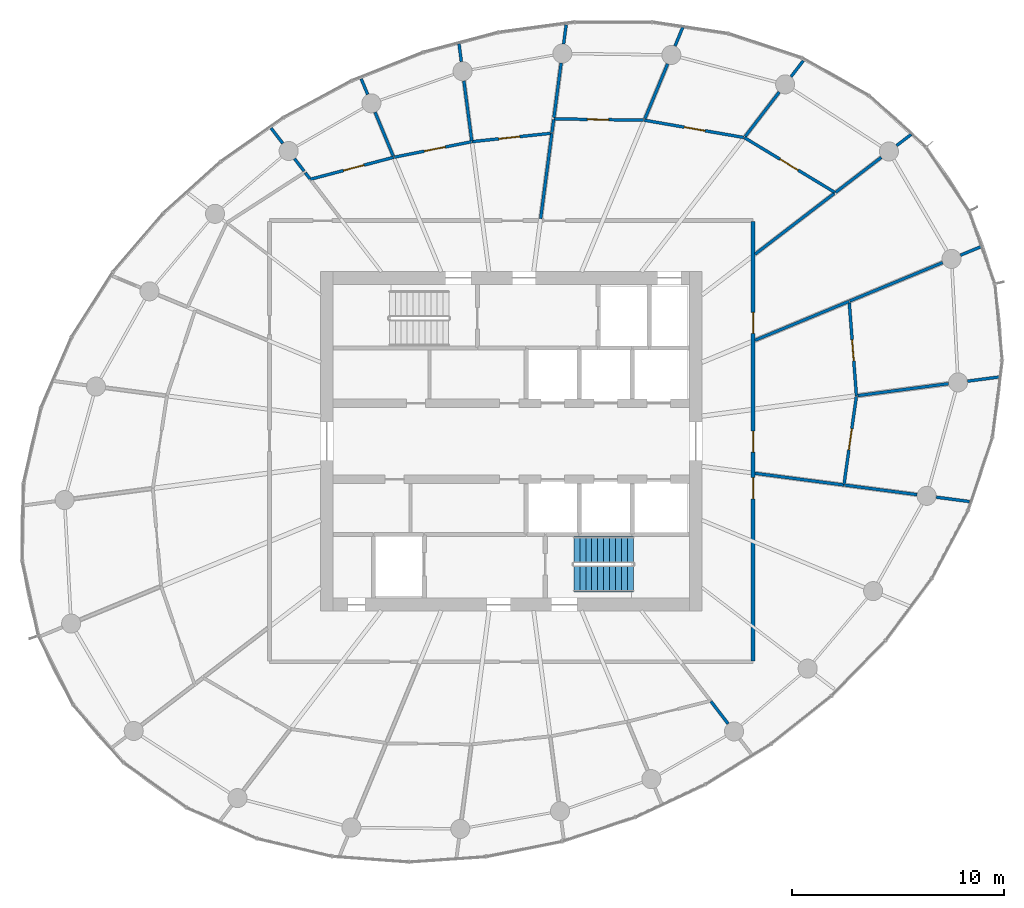
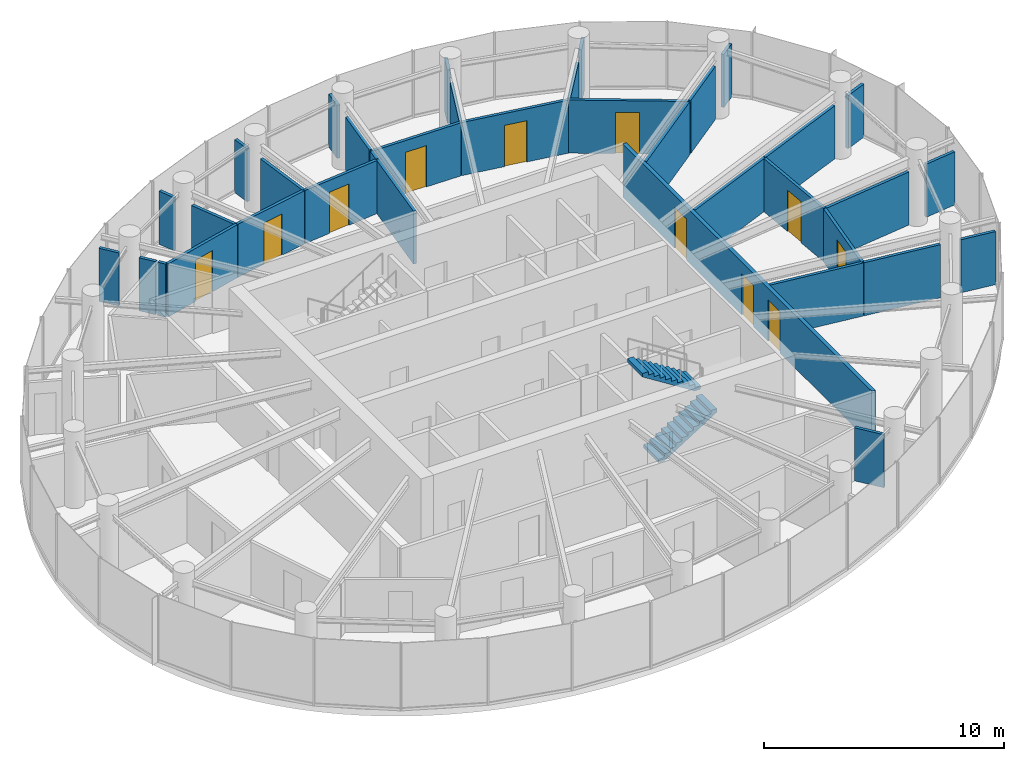
# One storey, part 11 of 14: 36 walls, 11 doors, 2 stair flights, 11 openings, 1 element without a shape of its own.
"""IFC4 building model written with IfcOpenShell, lengths in metres."""

import ifcopenshell
import ifcopenshell.guid

model = None  # the IFC model being written
_history = None  # IfcOwnerHistory: only IFC2X3 demands one
_inside = {}  # id of a spatial element -> (the spatial element, [elements in it])
_under = {}  # id of a project, library or spatial element -> (it, [spatial elements below it])
_declared = {}  # id of a project -> (the project, [libraries it declares])
_typed = {}  # id of a type object -> (the type object, [elements of that type])
_made_of = {}  # id of a material, layer set ... -> (it, [elements and type objects made of it])


def new_model(schema):
    """Start an empty IFC model of exactly this schema.

    Asked for "IFC4X3", IfcOpenShell would pick the latest addendum, in which some entities
    have other attributes; the version numbers below select the first issue.
    IFC2X3 requires an IfcOwnerHistory on every rooted entity: one is made here for all.
    """
    global model, _history
    if schema == "IFC4X3":
        model = ifcopenshell.file(schema_version=(4, 3, 0, 0))
    else:
        model = ifcopenshell.file(schema=schema)
    _inside.clear()
    _under.clear()
    _declared.clear()
    _typed.clear()
    _made_of.clear()
    _history = None
    if model.schema == "IFC2X3":
        org = make("IfcOrganization", Name="unknown")
        user = make(
            "IfcPersonAndOrganization",
            ThePerson=make("IfcPerson", FamilyName="unknown"),
            TheOrganization=org,
        )
        app = make(
            "IfcApplication",
            ApplicationDeveloper=org,
            Version="unknown",
            ApplicationFullName="unknown",
            ApplicationIdentifier="unknown",
        )
        _history = make(
            "IfcOwnerHistory",
            OwningUser=user,
            OwningApplication=app,
            ChangeAction="ADDED",
            CreationDate=0,
        )
    return model


def make(cls, **values):
    """One entity of the class cls with the attributes given. An attribute that is None is left unset."""
    return model.create_entity(
        cls, **{name: value for name, value in values.items() if value is not None}
    )


def rooted(cls, **values):
    """An entity with a GlobalId (a new one), such as an element, a storey or a relation."""
    return make(cls, GlobalId=ifcopenshell.guid.new(), OwnerHistory=_history, **values)


def si_unit(unit_type, name, prefix=None):
    """IfcSIUnit, for example si_unit("LENGTHUNIT", "METRE", prefix="MILLI")."""
    return make("IfcSIUnit", UnitType=unit_type, Prefix=prefix, Name=name)


def assignment(units):
    """IfcUnitAssignment: the units of a project."""
    return None if units is None else make("IfcUnitAssignment", Units=units)


def point(xyz):
    """IfcCartesianPoint."""
    return None if xyz is None else make("IfcCartesianPoint", Coordinates=xyz)


def direction(xyz):
    """IfcDirection."""
    return None if xyz is None else make("IfcDirection", DirectionRatios=xyz)


def frame(location, z_axis=None, x_axis=None):
    """IfcAxis2Placement3D, a coordinate frame: its origin and axes. An axis left out is left unset."""
    return make(
        "IfcAxis2Placement3D",
        Location=point(location),
        Axis=direction(z_axis),
        RefDirection=direction(x_axis),
    )


def frame_2d(location, x_axis=None):
    """IfcAxis2Placement2D, a coordinate frame in the plane: its origin and x axis."""
    return make(
        "IfcAxis2Placement2D", Location=point(location), RefDirection=direction(x_axis)
    )


def origin():
    """The frame at (0, 0, 0) with its axes left unset."""
    return frame((0.0, 0.0, 0.0))


def place(relative_to, where):
    """IfcLocalPlacement: puts the frame where relative to a parent placement (None: the world)."""
    return make(
        "IfcLocalPlacement", PlacementRelTo=relative_to, RelativePlacement=where
    )


def context(
    kind, dimensions, precision=None, world=None, true_north=None, identifier=None
):
    """IfcGeometricRepresentationContext, for example the 3D "Model" context."""
    return make(
        "IfcGeometricRepresentationContext",
        ContextIdentifier=identifier,
        ContextType=kind,
        CoordinateSpaceDimension=dimensions,
        Precision=precision,
        WorldCoordinateSystem=world,
        TrueNorth=true_north,
    )


def subcontext(parent, identifier, kind, view, scale=None):
    """IfcGeometricRepresentationSubContext, for example "Body" below "Model"."""
    return make(
        "IfcGeometricRepresentationSubContext",
        ContextIdentifier=identifier,
        ContextType=kind,
        ParentContext=parent,
        TargetScale=scale,
        TargetView=view,
    )


def project(units=None, contexts=None):
    """IfcProject with its units and contexts."""
    return rooted(
        "IfcProject",
        Name="project",
        RepresentationContexts=contexts,
        UnitsInContext=assignment(units),
    )


def spatial(cls, under=None, at=None, **own):
    """A site, building, storey or space (cls), placed at a placement, below another one or the project."""
    s = rooted(cls, ObjectPlacement=at, **own)
    if under is not None:
        _under.setdefault(under.id(), (under, []))[1].append(s)
    return s


def point_list(points):
    """IfcCartesianPointList2D or 3D."""
    cls = (
        "IfcCartesianPointList2D" if len(points[0]) == 2 else "IfcCartesianPointList3D"
    )
    return make(cls, CoordList=points)


def line(*indices):
    """IfcLineIndex: a straight run through numbered points of an indexed curve."""
    return model.create_entity("IfcLineIndex", indices)


def indexed_curve(points, segments=None, self_intersect=None):
    """IfcIndexedPolyCurve: lines and arcs through numbered points (the first is 1)."""
    return make(
        "IfcIndexedPolyCurve",
        Points=point_list(points),
        Segments=segments,
        SelfIntersect=self_intersect,
    )


def profile(cls, at=None, kind="AREA", **sizes):
    """A parametric profile (cls). Its sizes go by their IFC names, for example OverallWidth=200.0."""
    return make(cls, ProfileType=kind, Position=at, **sizes)


def rectangle(**sizes):
    """IfcRectangleProfileDef."""
    return profile("IfcRectangleProfileDef", **sizes)


def outline(outer, holes=None, kind="AREA"):
    """IfcArbitraryClosedProfileDef: a profile drawn as a closed curve; with holes, ...WithVoids."""
    if holes is None:
        return make("IfcArbitraryClosedProfileDef", ProfileType=kind, OuterCurve=outer)
    return make(
        "IfcArbitraryProfileDefWithVoids",
        ProfileType=kind,
        OuterCurve=outer,
        InnerCurves=holes,
    )


def extrude(swept, where, along, depth):
    """IfcExtrudedAreaSolid: the profile swept, set in the frame where, extruded along a direction by depth."""
    return make(
        "IfcExtrudedAreaSolid",
        SweptArea=swept,
        Position=where,
        ExtrudedDirection=direction(along),
        Depth=depth,
    )


def shape(context_of_items, identifier, shape_type, items):
    """IfcShapeRepresentation: the items that make up one representation, for example the "Body"."""
    return make(
        "IfcShapeRepresentation",
        ContextOfItems=context_of_items,
        RepresentationIdentifier=identifier,
        RepresentationType=shape_type,
        Items=items,
    )


def source(mapping_origin, context_of_items, identifier, shape_type, items):
    """IfcRepresentationMap: a shape defined once, which mapped items show again and again."""
    return make(
        "IfcRepresentationMap",
        MappingOrigin=mapping_origin,
        MappedRepresentation=shape(context_of_items, identifier, shape_type, items),
    )


def transform(
    local_origin,
    x_axis=None,
    y_axis=None,
    z_axis=None,
    scale=None,
    scale2=None,
    scale3=None,
    uniform=True,
):
    """IfcCartesianTransformationOperator3D, or its non-uniform kind. x_axis, y_axis, z_axis: its Axis1, 2, 3."""
    if uniform:
        return make(
            "IfcCartesianTransformationOperator3D",
            Axis1=direction(x_axis),
            Axis2=direction(y_axis),
            LocalOrigin=point(local_origin),
            Scale=scale,
            Axis3=direction(z_axis),
        )
    return make(
        "IfcCartesianTransformationOperator3DnonUniform",
        Axis1=direction(x_axis),
        Axis2=direction(y_axis),
        LocalOrigin=point(local_origin),
        Scale=scale,
        Axis3=direction(z_axis),
        Scale2=scale2,
        Scale3=scale3,
    )


def mapped(mapping_source, mapping_target):
    """IfcMappedItem: shows the shape of a source again, moved by a transform."""
    return make(
        "IfcMappedItem", MappingSource=mapping_source, MappingTarget=mapping_target
    )


def material(Name=None, Category=None):
    """IfcMaterial."""
    return make("IfcMaterial", Name=Name, Category=Category)


def layer(
    of_material, thickness, ventilated=None, Name=None, Category=None, Priority=None
):
    """IfcMaterialLayer: one layer of a wall or slab, of a material (None: an air gap)."""
    return make(
        "IfcMaterialLayer",
        Material=of_material,
        LayerThickness=thickness,
        IsVentilated=ventilated,
        Name=Name,
        Category=Category,
        Priority=Priority,
    )


def layer_set(layers, Name=None):
    """IfcMaterialLayerSet."""
    return make("IfcMaterialLayerSet", MaterialLayers=layers, LayerSetName=Name)


def made_of(thing, what):
    """Note that an element or type object is made of a material, layer set ...; save() writes the relation."""
    if what is not None:
        _made_of.setdefault(what.id(), (what, []))[1].append(thing)
    return thing


def type_object(cls, material=None, **own):
    """A type object (cls), such as IfcWallType, which elements share."""
    return made_of(rooted(cls, **own), material)


def element(
    cls,
    number,
    at=None,
    inside=None,
    cuts=None,
    type_object=None,
    material=None,
    context=None,
    identifier="Body",
    shape_type=None,
    held_by="IfcProductDefinitionShape",
    body=None,
    shapes=None,
    **own,
):
    """One element of the class cls, such as IfcWall. Its Tag is "e" and its number.

    at: its placement. inside: the storey or other place that contains it. cuts: it is an
    opening in that element (IfcRelVoidsElement). A single representation is given by context,
    identifier, shape_type and body (its items); several are given by shapes. held_by: the class
    of the entity that holds the representations. save() writes the other relations.
    """
    e = rooted(cls, Tag="e%d" % number, ObjectPlacement=at, **own)
    if body is not None:
        shapes = [shape(context, identifier, shape_type, body)]
    if shapes is not None:
        e.Representation = make(held_by, Representations=shapes)
    if inside is not None:
        _inside.setdefault(inside.id(), (inside, []))[1].append(e)
    if cuts is not None:
        rooted(
            "IfcRelVoidsElement", RelatingBuildingElement=cuts, RelatedOpeningElement=e
        )
    if type_object is not None:
        _typed.setdefault(type_object.id(), (type_object, []))[1].append(e)
    return made_of(e, material)


def fill(opening, filler):
    """IfcRelFillsElement: the door or window that sits in an opening."""
    return rooted(
        "IfcRelFillsElement",
        RelatingOpeningElement=opening,
        RelatedBuildingElement=filler,
    )


def aggregate(whole, parts):
    """IfcRelAggregates: a whole, such as a stair, and the parts it consists of."""
    return rooted("IfcRelAggregates", RelatingObject=whole, RelatedObjects=parts)


def save(model, path):
    """Write the relations noted so far, then the file.

    IfcRelAggregates (storeys below a building ...), IfcRelContainedInSpatialStructure (elements
    in a storey), IfcRelDefinesByType, IfcRelAssociatesMaterial and IfcRelDeclares: one each for
    every whole, place, type object, material and project.
    """
    for whole, parts in _under.values():
        aggregate(whole, parts)
    for where, things in _inside.values():
        rooted(
            "IfcRelContainedInSpatialStructure",
            RelatedElements=things,
            RelatingStructure=where,
        )
    for kind, things in _typed.values():
        rooted("IfcRelDefinesByType", RelatedObjects=things, RelatingType=kind)
    for what, things in _made_of.values():
        rooted("IfcRelAssociatesMaterial", RelatedObjects=things, RelatingMaterial=what)
    for by, libraries in _declared.values():
        rooted("IfcRelDeclares", RelatingContext=by, RelatedDefinitions=libraries)
    model.write(path)


model = new_model("IFC4")

# Units and contexts
model_context = context("Model", 3, precision=1e-05, world=origin(), true_north=direction((0.0, 1.0)))
body_context = subcontext(model_context, "Body", "Model", "MODEL_VIEW")
ifc_project = project(units=[si_unit("LENGTHUNIT", "METRE"), si_unit("AREAUNIT", "SQUARE_METRE"), si_unit("VOLUMEUNIT", "CUBIC_METRE"), si_unit("PLANEANGLEUNIT", "RADIAN"), si_unit("MASSUNIT", "GRAM", prefix="KILO")], contexts=[model_context])

# Site, building, storey
site_placement = place(None, origin())
site = spatial("IfcSite", under=ifc_project, at=site_placement, CompositionType="ELEMENT")
building_placement = place(site_placement, origin())
building = spatial("IfcBuilding", under=site, at=building_placement, Name="Spindrift Exchange Tower", CompositionType="ELEMENT")
storey_placement = place(building_placement, frame((0.0, 0.0, 226.699951171875)))
storey = spatial("IfcBuildingStorey", under=building, at=storey_placement, Name="L55", CompositionType="ELEMENT", Elevation=226.699951171875)

# Wall, openings, doors
ifc_material_1 = material(Name="Fire-rated plasterboard partition", Category="gypsum")
ifc_layer_1 = layer(ifc_material_1, 0.179931640625)
ifc_layer_set_1 = layer_set([ifc_layer_1], Name="W-CORR-180")
wall_type_1 = type_object("IfcWallType", Name="W-CORR-180", PredefinedType="PARTITIONING", material=ifc_layer_set_1)
wall_1_placement = place(storey_placement, frame((63.39990234375, 58.3701171875, 0.0), z_axis=(0.0, 0.0, 1.0), x_axis=(0.0, -1.0, 0.0)))
wall_1 = element("IfcWall", 1, at=wall_1_placement, inside=storey, type_object=wall_type_1, Name="L55 Partition wall 29", PredefinedType="PARTITIONING", context=body_context, shape_type="SweptSolid", body=[
    extrude(rectangle(XDim=20.740234375, YDim=0.179931640625, at=frame_2d((10.3701171875, 0.0))), origin(), (0.0, 0.0, 1.0), 2.699951171875),
])
opening_1_placement = place(wall_1_placement, frame((12.090087890625, 0.0, 0.0)))
opening_1 = element("IfcOpeningElement", 2, at=opening_1_placement, cuts=wall_1, Name="Opening L55-D34", PredefinedType="OPENING", context=body_context, shape_type="SweptSolid", body=[
    extrude(rectangle(XDim=1.0, YDim=2.10009765625, at=frame_2d((0.5, 1.050048828125))), frame((0.0, 0.099853515625, 0.0), z_axis=(0.0, -1.0, 0.0), x_axis=(1.0, 0.0, 0.0)), (0.0, 0.0, 1.0), 0.199951171875),
])
opening_2_placement = place(wall_1_placement, frame((9.889892578125, 0.0, 0.0)))
opening_2 = element("IfcOpeningElement", 3, at=opening_2_placement, cuts=wall_1, Name="Opening L55-D35", PredefinedType="OPENING", context=body_context, shape_type="SweptSolid", body=[
    extrude(rectangle(XDim=1.0, YDim=2.10009765625, at=frame_2d((0.5, 1.050048828125))), frame((0.0, 0.099853515625, 0.0), z_axis=(0.0, -1.0, 0.0), x_axis=(1.0, 0.0, 0.0)), (0.0, 0.0, 1.0), 0.199951171875),
])
opening_3_placement = place(wall_1_placement, frame((4.2900390625, 0.0, 0.0)))
opening_3 = element("IfcOpeningElement", 4, at=opening_3_placement, cuts=wall_1, Name="Opening L55-D38", PredefinedType="OPENING", context=body_context, shape_type="SweptSolid", body=[
    extrude(rectangle(XDim=1.0, YDim=2.10009765625, at=frame_2d((0.5, 1.050048828125))), frame((0.0, 0.099853515625, 0.0), z_axis=(0.0, -1.0, 0.0), x_axis=(1.0, 0.0, 0.0)), (0.0, 0.0, 1.0), 0.199951171875),
])
ifc_material_2 = material(Name="Timber-core fire door", Category="wood")
door_type = type_object("IfcDoorType", Name="DR-ROOM-1000", OperationType="NOTDEFINED", PredefinedType="DOOR", material=ifc_material_2)
shared_shape = source(origin(), body_context, "Body", "SweptSolid", [
    extrude(rectangle(XDim=1.0, YDim=2.10009765625, at=frame_2d((0.5, 1.050048828125))), frame((0.0, 0.02490234375, 0.0), z_axis=(0.0, -1.0, 0.0), x_axis=(1.0, 0.0, 0.0)), (0.0, 0.0, 1.0), 0.050048828125),
])
door_1_placement = place(opening_1_placement, origin())
door_1 = element("IfcDoor", 5, at=door_1_placement, inside=storey, type_object=door_type, Name="L55 Door 34", OperationType="SINGLE_SWING_RIGHT", OverallHeight=2.10009765625, OverallWidth=1.0, PredefinedType="DOOR", context=body_context, shape_type="MappedRepresentation", body=[
    mapped(shared_shape, transform((0.0, 0.0, 0.0), scale=1.0)),
])
fill(opening_1, door_1)
door_2_placement = place(opening_2_placement, origin())
door_2 = element("IfcDoor", 6, at=door_2_placement, inside=storey, type_object=door_type, Name="L55 Door 35", OperationType="SINGLE_SWING_LEFT", OverallHeight=2.10009765625, OverallWidth=1.0, PredefinedType="DOOR", context=body_context, shape_type="MappedRepresentation", body=[
    mapped(shared_shape, transform((0.0, 0.0, 0.0), scale=1.0)),
])
fill(opening_2, door_2)
door_3_placement = place(opening_3_placement, origin())
door_3 = element("IfcDoor", 7, at=door_3_placement, inside=storey, type_object=door_type, Name="L55 Door 38", OperationType="SINGLE_SWING_RIGHT", OverallHeight=2.10009765625, OverallWidth=1.0, PredefinedType="DOOR", context=body_context, shape_type="MappedRepresentation", body=[
    mapped(shared_shape, transform((0.0, 0.0, 0.0), scale=1.0)),
])
fill(opening_3, door_3)

# Wall, opening, door
ifc_layer_2 = layer(ifc_material_1, 0.139892578125)
ifc_layer_set_2 = layer_set([ifc_layer_2], Name="W-PART-140")
wall_type_2 = type_object("IfcWallType", Name="W-PART-140", PredefinedType="PARTITIONING", material=ifc_layer_set_2)
wall_2_placement = place(storey_placement, frame((62.984619140625, 62.315185546875, 0.0), z_axis=(0.0, 0.0, 1.0), x_axis=(0.855336503229, -0.518072838744, 0.0)))
wall_2 = element("IfcWall", 8, at=wall_2_placement, inside=storey, type_object=wall_type_2, Name="L55 Partition wall 31", PredefinedType="PARTITIONING", context=body_context, shape_type="SweptSolid", body=[
    extrude(rectangle(XDim=5.01220703125, YDim=0.139892578125, at=frame_2d((2.506103515625, 0.0))), origin(), (0.0, 0.0, 1.0), 2.699951171875),
])
opening_4_placement = place(wall_2_placement, frame((1.96240234375, 0.0, 0.0)))
opening_4 = element("IfcOpeningElement", 9, at=opening_4_placement, cuts=wall_2, Name="Opening L55-D40", PredefinedType="OPENING", context=body_context, shape_type="SweptSolid", body=[
    extrude(rectangle(XDim=1.0, YDim=2.10009765625, at=frame_2d((0.5, 1.050048828125))), frame((0.0, 0.079833984375, 0.0), z_axis=(0.0, -1.0, 0.0), x_axis=(1.0, 0.0, 0.0)), (0.0, 0.0, 1.0), 0.159912109375),
])
door_4_placement = place(opening_4_placement, origin())
door_4 = element("IfcDoor", 10, at=door_4_placement, inside=storey, type_object=door_type, Name="L55 Door 40", OperationType="SINGLE_SWING_RIGHT", OverallHeight=2.10009765625, OverallWidth=1.0, PredefinedType="DOOR", context=body_context, shape_type="MappedRepresentation", body=[
    mapped(shared_shape, transform((0.0, 0.0, 0.0), scale=1.0)),
])
fill(opening_4, door_4)

# Walls
wall_3_placement = place(storey_placement, frame((63.489990234375, 52.75927734375, 0.0), z_axis=(0.0, 0.0, 1.0), x_axis=(0.923870600529, 0.382704995366, 0.0)))
element("IfcWall", 11, at=wall_3_placement, inside=storey, type_object=wall_type_2, Name="L55 Partition wall 32", PredefinedType="PARTITIONING", context=body_context, shape_type="SweptSolid", body=[
    extrude(rectangle(XDim=4.802490234375, YDim=0.139892578125, at=frame_2d((2.4013671875, 0.0))), origin(), (0.0, 0.0, 1.0), 2.699951171875),
])
wall_4_placement = place(storey_placement, frame((63.489990234375, 56.816650390625, 0.0), z_axis=(0.0, 0.0, 1.0), x_axis=(0.793370109793, 0.608739573945, 0.0)))
element("IfcWall", 12, at=wall_4_placement, inside=storey, type_object=wall_type_2, Name="L55 Partition wall 34", PredefinedType="PARTITIONING", context=body_context, shape_type="SweptSolid", body=[
    extrude(rectangle(XDim=4.691650390625, YDim=0.139892578125, at=frame_2d((2.345703125, 0.0))), origin(), (0.0, 0.0, 1.0), 2.699951171875),
])

# Wall, opening, door
wall_5_placement = place(storey_placement, frame((58.268798828125, 63.13427734375, 0.0), z_axis=(0.0, 0.0, 1.0), x_axis=(0.985247147455, -0.171137542441, 0.0)))
wall_5 = element("IfcWall", 13, at=wall_5_placement, inside=storey, type_object=wall_type_2, Name="L55 Partition wall 35", PredefinedType="PARTITIONING", context=body_context, shape_type="SweptSolid", body=[
    extrude(rectangle(XDim=4.756103515625, YDim=0.139892578125, at=frame_2d((2.3779296875, 0.0))), origin(), (0.0, 0.0, 1.0), 2.699951171875),
])
opening_5_placement = place(wall_5_placement, frame((1.90625, 0.0, 0.0)))
opening_5 = element("IfcOpeningElement", 14, at=opening_5_placement, cuts=wall_5, Name="Opening L55-D41", PredefinedType="OPENING", context=body_context, shape_type="SweptSolid", body=[
    extrude(rectangle(XDim=1.0, YDim=2.10009765625, at=frame_2d((0.5, 1.050048828125))), frame((0.0, 0.079833984375, 0.0), z_axis=(0.0, -1.0, 0.0), x_axis=(1.0, 0.0, 0.0)), (0.0, 0.0, 1.0), 0.159912109375),
])
door_5_placement = place(opening_5_placement, origin())
door_5 = element("IfcDoor", 15, at=door_5_placement, inside=storey, type_object=door_type, Name="L55 Door 41", OperationType="SINGLE_SWING_LEFT", OverallHeight=2.10009765625, OverallWidth=1.0, PredefinedType="DOOR", context=body_context, shape_type="MappedRepresentation", body=[
    mapped(shared_shape, transform((0.0, 0.0, 0.0), scale=1.0)),
])
fill(opening_5, door_5)

# Wall
wall_6_placement = place(storey_placement, frame((67.95458984375, 54.608642578125, 0.0), z_axis=(0.0, 0.0, 1.0), x_axis=(0.923881204853, 0.38267939495, 0.0)))
element("IfcWall", 16, at=wall_6_placement, inside=storey, type_object=wall_type_2, Name="L55 Partition wall 37", PredefinedType="PARTITIONING", context=body_context, shape_type="SweptSolid", body=[
    extrude(rectangle(XDim=4.739013671875, YDim=0.139892578125, at=frame_2d((2.36962890625, 0.0))), origin(), (0.0, 0.0, 1.0), 2.699951171875),
])

# Wall, opening, door
wall_7_placement = place(storey_placement, frame((67.932373046875, 54.523681640625, 0.0), z_axis=(0.0, 0.0, 1.0), x_axis=(0.076998122005, -0.997031237829, 0.0)))
wall_7 = element("IfcWall", 17, at=wall_7_placement, inside=storey, type_object=wall_type_2, Name="L55 Partition wall 40", PredefinedType="PARTITIONING", context=body_context, shape_type="SweptSolid", body=[
    extrude(rectangle(XDim=4.39453125, YDim=0.139892578125, at=frame_2d((2.197265625, 0.0))), origin(), (0.0, 0.0, 1.0), 2.699951171875),
])
opening_6_placement = place(wall_7_placement, frame((1.74462890625, 0.0, 0.0)))
opening_6 = element("IfcOpeningElement", 18, at=opening_6_placement, cuts=wall_7, Name="Opening L55-D37", PredefinedType="OPENING", context=body_context, shape_type="SweptSolid", body=[
    extrude(rectangle(XDim=1.0, YDim=2.10009765625, at=frame_2d((0.5, 1.050048828125))), frame((0.0, 0.079833984375, 0.0), z_axis=(0.0, -1.0, 0.0), x_axis=(1.0, 0.0, 0.0)), (0.0, 0.0, 1.0), 0.159912109375),
])
door_6_placement = place(opening_6_placement, origin())
door_6 = element("IfcDoor", 19, at=door_6_placement, inside=storey, type_object=door_type, Name="L55 Door 37", OperationType="SINGLE_SWING_LEFT", OverallHeight=2.10009765625, OverallWidth=1.0, PredefinedType="DOOR", context=body_context, shape_type="MappedRepresentation", body=[
    mapped(shared_shape, transform((0.0, 0.0, 0.0), scale=1.0)),
])
fill(opening_6, door_6)

# Walls
wall_8_placement = place(storey_placement, frame((68.340087890625, 50.151123046875, 0.0), z_axis=(0.0, 0.0, 1.0), x_axis=(0.991441368776, 0.130552718389, 0.0)))
element("IfcWall", 20, at=wall_8_placement, inside=storey, type_object=wall_type_2, Name="L55 Partition wall 44", PredefinedType="PARTITIONING", context=body_context, shape_type="SweptSolid", body=[
    extrude(rectangle(XDim=4.30859375, YDim=0.139892578125, at=frame_2d((2.154296875, 0.0))), origin(), (0.0, 0.0, 1.0), 2.699951171875),
])
wall_9_placement = place(storey_placement, frame((63.489990234375, 46.4873046875, 0.0), z_axis=(0.0, 0.0, 1.0), x_axis=(0.991446431295, -0.130514266934, 0.0)))
element("IfcWall", 21, at=wall_9_placement, inside=storey, type_object=wall_type_2, Name="L55 Partition wall 45", PredefinedType="PARTITIONING", context=body_context, shape_type="SweptSolid", body=[
    extrude(rectangle(XDim=4.2275390625, YDim=0.139892578125, at=frame_2d((2.11376953125, 0.0))), origin(), (0.0, 0.0, 1.0), 2.699951171875),
])

# Wall, opening, door
wall_10_placement = place(storey_placement, frame((54.00048828125, 63.1962890625, 0.0), z_axis=(0.0, 0.0, 1.0), x_axis=(0.99989466978, -0.014513763999, 0.0)))
wall_10 = element("IfcWall", 22, at=wall_10_placement, inside=storey, type_object=wall_type_2, Name="L55 Partition wall 46", PredefinedType="PARTITIONING", context=body_context, shape_type="SweptSolid", body=[
    extrude(rectangle(XDim=4.239013671875, YDim=0.139892578125, at=frame_2d((2.11962890625, 0.0))), origin(), (0.0, 0.0, 1.0), 2.699951171875),
])
opening_7_placement = place(wall_10_placement, frame((1.588623046875, 0.0, 0.0)))
opening_7 = element("IfcOpeningElement", 23, at=opening_7_placement, cuts=wall_10, Name="Opening L55-D42", PredefinedType="OPENING", context=body_context, shape_type="SweptSolid", body=[
    extrude(rectangle(XDim=1.0, YDim=2.10009765625, at=frame_2d((0.5, 1.050048828125))), frame((0.0, 0.079833984375, 0.0), z_axis=(0.0, -1.0, 0.0), x_axis=(1.0, 0.0, 0.0)), (0.0, 0.0, 1.0), 0.159912109375),
])
door_7_placement = place(opening_7_placement, origin())
door_7 = element("IfcDoor", 24, at=door_7_placement, inside=storey, type_object=door_type, Name="L55 Door 42", OperationType="SINGLE_SWING_RIGHT", OverallHeight=2.10009765625, OverallWidth=1.0, PredefinedType="DOOR", context=body_context, shape_type="MappedRepresentation", body=[
    mapped(shared_shape, transform((0.0, 0.0, 0.0), scale=1.0)),
])
fill(opening_7, door_7)

wall_11_placement = place(storey_placement, frame((68.2666015625, 50.1123046875, 0.0), z_axis=(0.0, 0.0, 1.0), x_axis=(-0.138751908501, -0.990327172144, 0.0)))
wall_11 = element("IfcWall", 25, at=wall_11_placement, inside=storey, type_object=wall_type_2, Name="L55 Partition wall 48", PredefinedType="PARTITIONING", context=body_context, shape_type="SweptSolid", body=[
    extrude(rectangle(XDim=4.187744140625, YDim=0.139892578125, at=frame_2d((2.09375, 0.0))), origin(), (0.0, 0.0, 1.0), 2.699951171875),
])
opening_8_placement = place(wall_11_placement, frame((1.53759765625, 0.0, 0.0)))
opening_8 = element("IfcOpeningElement", 26, at=opening_8_placement, cuts=wall_11, Name="Opening L55-D36", PredefinedType="OPENING", context=body_context, shape_type="SweptSolid", body=[
    extrude(rectangle(XDim=1.0, YDim=2.10009765625, at=frame_2d((0.5, 1.050048828125))), frame((0.0, 0.079833984375, 0.0), z_axis=(0.0, -1.0, 0.0), x_axis=(1.0, 0.0, 0.0)), (0.0, 0.0, 1.0), 0.159912109375),
])
door_8_placement = place(opening_8_placement, origin())
door_8 = element("IfcDoor", 27, at=door_8_placement, inside=storey, type_object=door_type, Name="L55 Door 36", OperationType="SINGLE_SWING_RIGHT", OverallHeight=2.10009765625, OverallWidth=1.0, PredefinedType="DOOR", context=body_context, shape_type="MappedRepresentation", body=[
    mapped(shared_shape, transform((0.0, 0.0, 0.0), scale=1.0)),
])
fill(opening_8, door_8)

# Wall
wall_12_placement = place(storey_placement, frame((53.381103515625, 58.489990234375, 0.0), z_axis=(0.0, 0.0, 1.0), x_axis=(0.13052750874, 0.99144468805, 0.0)))
element("IfcWall", 28, at=wall_12_placement, inside=storey, type_object=wall_type_2, Name="L55 Partition wall 49", PredefinedType="PARTITIONING", context=body_context, shape_type="SweptSolid", body=[
    extrude(rectangle(XDim=4.066162109375, YDim=0.139892578125, at=frame_2d((2.033203125, 0.0))), origin(), (0.0, 0.0, 1.0), 2.699951171875),
])

# Wall, opening, door
wall_13_placement = place(storey_placement, frame((42.5244140625, 60.348876953125, 0.0), z_axis=(0.0, 0.0, 1.0), x_axis=(0.966913320751, 0.255105135492, 0.0)))
wall_13 = element("IfcWall", 29, at=wall_13_placement, inside=storey, type_object=wall_type_2, Name="L55 Partition wall 52", PredefinedType="PARTITIONING", context=body_context, shape_type="SweptSolid", body=[
    extrude(rectangle(XDim=4.0654296875, YDim=0.139892578125, at=frame_2d((2.03271484375, 0.0))), origin(), (0.0, 0.0, 1.0), 2.699951171875),
])
opening_9_placement = place(wall_13_placement, frame((1.615478515625, 0.0, 0.0)))
opening_9 = element("IfcOpeningElement", 30, at=opening_9_placement, cuts=wall_13, Name="Opening L55-D46", PredefinedType="OPENING", context=body_context, shape_type="SweptSolid", body=[
    extrude(rectangle(XDim=1.0, YDim=2.10009765625, at=frame_2d((0.5, 1.050048828125))), frame((0.0, 0.079833984375, 0.0), z_axis=(0.0, -1.0, 0.0), x_axis=(1.0, 0.0, 0.0)), (0.0, 0.0, 1.0), 0.159912109375),
])
door_9_placement = place(opening_9_placement, origin())
door_9 = element("IfcDoor", 31, at=door_9_placement, inside=storey, type_object=door_type, Name="L55 Door 46", OperationType="SINGLE_SWING_RIGHT", OverallHeight=2.10009765625, OverallWidth=1.0, PredefinedType="DOOR", context=body_context, shape_type="MappedRepresentation", body=[
    mapped(shared_shape, transform((0.0, 0.0, 0.0), scale=1.0)),
])
fill(opening_9, door_9)

wall_14_placement = place(storey_placement, frame((50.140869140625, 62.122314453125, 0.0), z_axis=(0.0, 0.0, 1.0), x_axis=(0.994443424191, 0.105272389942, 0.0)))
wall_14 = element("IfcWall", 32, at=wall_14_placement, inside=storey, type_object=wall_type_2, Name="L55 Partition wall 58", PredefinedType="PARTITIONING", context=body_context, shape_type="SweptSolid", body=[
    extrude(rectangle(XDim=3.719970703125, YDim=0.139892578125, at=frame_2d((1.85986328125, 0.0))), origin(), (0.0, 0.0, 1.0), 2.699951171875),
])
opening_10_placement = place(wall_14_placement, frame((1.27001953125, 0.0, 0.0)))
opening_10 = element("IfcOpeningElement", 33, at=opening_10_placement, cuts=wall_14, Name="Opening L55-D44", PredefinedType="OPENING", context=body_context, shape_type="SweptSolid", body=[
    extrude(rectangle(XDim=1.0, YDim=2.10009765625, at=frame_2d((0.5, 1.050048828125))), frame((0.0, 0.079833984375, 0.0), z_axis=(0.0, -1.0, 0.0), x_axis=(1.0, 0.0, 0.0)), (0.0, 0.0, 1.0), 0.159912109375),
])
door_10_placement = place(opening_10_placement, origin())
door_10 = element("IfcDoor", 34, at=door_10_placement, inside=storey, type_object=door_type, Name="L55 Door 44", OperationType="SINGLE_SWING_RIGHT", OverallHeight=2.10009765625, OverallWidth=1.0, PredefinedType="DOOR", context=body_context, shape_type="MappedRepresentation", body=[
    mapped(shared_shape, transform((0.0, 0.0, 0.0), scale=1.0)),
])
fill(opening_10, door_10)

wall_15_placement = place(storey_placement, frame((46.484619140625, 61.39208984375, 0.0), z_axis=(0.0, 0.0, 1.0), x_axis=(0.980631422481, 0.195862230259, 0.0)))
wall_15 = element("IfcWall", 35, at=wall_15_placement, inside=storey, type_object=wall_type_2, Name="L55 Partition wall 59", PredefinedType="PARTITIONING", context=body_context, shape_type="SweptSolid", body=[
    extrude(rectangle(XDim=3.6982421875, YDim=0.139892578125, at=frame_2d((1.84912109375, 0.0))), origin(), (0.0, 0.0, 1.0), 2.699951171875),
])
opening_11_placement = place(wall_15_placement, frame((1.4482421875, 0.0, 0.0)))
opening_11 = element("IfcOpeningElement", 36, at=opening_11_placement, cuts=wall_15, Name="Opening L55-D45", PredefinedType="OPENING", context=body_context, shape_type="SweptSolid", body=[
    extrude(rectangle(XDim=1.0, YDim=2.10009765625, at=frame_2d((0.5, 1.050048828125))), frame((0.0, 0.079833984375, 0.0), z_axis=(0.0, -1.0, 0.0), x_axis=(1.0, 0.0, 0.0)), (0.0, 0.0, 1.0), 0.159912109375),
])
door_11_placement = place(opening_11_placement, origin())
door_11 = element("IfcDoor", 37, at=door_11_placement, inside=storey, type_object=door_type, Name="L55 Door 45", OperationType="SINGLE_SWING_LEFT", OverallHeight=2.10009765625, OverallWidth=1.0, PredefinedType="DOOR", context=body_context, shape_type="MappedRepresentation", body=[
    mapped(shared_shape, transform((0.0, 0.0, 0.0), scale=1.0)),
])
fill(opening_11, door_11)

# Walls
wall_16_placement = place(storey_placement, frame((67.711181640625, 45.931640625, 0.0), z_axis=(0.0, 0.0, 1.0), x_axis=(0.991442967003, -0.130540580589, 0.0)))
element("IfcWall", 38, at=wall_16_placement, inside=storey, type_object=wall_type_2, Name="L55 Partition wall 65", PredefinedType="PARTITIONING", context=body_context, shape_type="SweptSolid", body=[
    extrude(rectangle(XDim=3.44873046875, YDim=0.139892578125, at=frame_2d((1.724365234375, 0.0))), origin(), (0.0, 0.0, 1.0), 2.699951171875),
])
wall_17_placement = place(storey_placement, frame((50.136962890625, 62.152099609375, 0.0), z_axis=(0.0, 0.0, 1.0), x_axis=(-0.130577981436, 0.991438041818, 0.0)))
element("IfcWall", 39, at=wall_17_placement, inside=storey, type_object=wall_type_2, Name="L55 Partition wall 69", PredefinedType="PARTITIONING", context=body_context, shape_type="SweptSolid", body=[
    extrude(rectangle(XDim=2.8642578125, YDim=0.139892578125, at=frame_2d((1.43212890625, 0.0))), origin(), (0.0, 0.0, 1.0), 2.699951171875),
])
wall_18_placement = place(storey_placement, frame((58.29638671875, 63.20068359375, 0.0), z_axis=(0.0, 0.0, 1.0), x_axis=(0.38269039354, 0.923876649068, 0.0)))
element("IfcWall", 40, at=wall_18_placement, inside=storey, type_object=wall_type_2, Name="L55 Partition wall 70", PredefinedType="PARTITIONING", context=body_context, shape_type="SweptSolid", body=[
    extrude(rectangle(XDim=2.802001953125, YDim=0.139892578125, at=frame_2d((1.40087890625, 0.0))), origin(), (0.0, 0.0, 1.0), 2.699951171875),
])
wall_19_placement = place(storey_placement, frame((67.29541015625, 59.736572265625, 0.0), z_axis=(0.0, 0.0, 1.0), x_axis=(0.793344806352, 0.608772550494, 0.0)))
element("IfcWall", 41, at=wall_19_placement, inside=storey, type_object=wall_type_2, Name="L55 Partition wall 71", PredefinedType="PARTITIONING", context=body_context, shape_type="SweptSolid", body=[
    extrude(rectangle(XDim=2.705078125, YDim=0.139892578125, at=frame_2d((1.3525390625, 0.0))), origin(), (0.0, 0.0, 1.0), 2.699951171875),
])
wall_20_placement = place(storey_placement, frame((63.02734375, 62.37109375, 0.0), z_axis=(0.0, 0.0, 1.0), x_axis=(0.60876591882, 0.793349895118, 0.0)))
element("IfcWall", 42, at=wall_20_placement, inside=storey, type_object=wall_type_2, Name="L55 Partition wall 72", PredefinedType="PARTITIONING", context=body_context, shape_type="SweptSolid", body=[
    extrude(rectangle(XDim=2.635986328125, YDim=0.139892578125, at=frame_2d((1.31787109375, 0.0))), origin(), (0.0, 0.0, 1.0), 2.699951171875),
])
wall_21_placement = place(storey_placement, frame((54.009765625, 63.26611328125, 0.0), z_axis=(0.0, 0.0, 1.0), x_axis=(0.130591396483, 0.991436274888, 0.0)))
element("IfcWall", 43, at=wall_21_placement, inside=storey, type_object=wall_type_2, Name="L55 Partition wall 73", PredefinedType="PARTITIONING", context=body_context, shape_type="SweptSolid", body=[
    extrude(rectangle(XDim=2.583740234375, YDim=0.139892578125, at=frame_2d((1.2919921875, 0.0))), origin(), (0.0, 0.0, 1.0), 2.699951171875),
])
wall_22_placement = place(storey_placement, frame((46.42822265625, 61.451416015625, 0.0), z_axis=(0.0, 0.0, 1.0), x_axis=(-0.382654863797, 0.923891365482, 0.0)))
element("IfcWall", 44, at=wall_22_placement, inside=storey, type_object=wall_type_2, Name="L55 Partition wall 79", PredefinedType="PARTITIONING", context=body_context, shape_type="SweptSolid", body=[
    extrude(rectangle(XDim=2.229248046875, YDim=0.139892578125, at=frame_2d((1.11474609375, 0.0))), origin(), (0.0, 0.0, 1.0), 2.699951171875),
])
wall_23_placement = place(storey_placement, frame((72.031494140625, 45.36279296875, 0.0), z_axis=(0.0, 0.0, 1.0), x_axis=(0.991431072845, -0.130630883778, 0.0)))
element("IfcWall", 45, at=wall_23_placement, inside=storey, type_object=wall_type_2, Name="L55 Partition wall 80", PredefinedType="PARTITIONING", context=body_context, shape_type="SweptSolid", body=[
    extrude(rectangle(XDim=1.575439453125, YDim=0.139892578125, at=frame_2d((0.78759765625, 0.0))), origin(), (0.0, 0.0, 1.0), 2.699951171875),
])
wall_24_placement = place(storey_placement, frame((73.512939453125, 50.832275390625, 0.0), z_axis=(0.0, 0.0, 1.0), x_axis=(0.991448742538, 0.130496708462, 0.0)))
element("IfcWall", 46, at=wall_24_placement, inside=storey, type_object=wall_type_2, Name="L55 Partition wall 82", PredefinedType="PARTITIONING", context=body_context, shape_type="SweptSolid", body=[
    extrude(rectangle(XDim=1.49658203125, YDim=0.139892578125, at=frame_2d((0.748291015625, 0.0))), origin(), (0.0, 0.0, 1.0), 2.699951171875),
])
wall_25_placement = place(storey_placement, frame((61.410400390625, 35.736083984375, 0.0), z_axis=(0.0, 0.0, 1.0), x_axis=(0.608746478316, -0.793364812137, 0.0)))
element("IfcWall", 47, at=wall_25_placement, inside=storey, type_object=wall_type_2, Name="L55 Partition wall 86", PredefinedType="PARTITIONING", context=body_context, shape_type="SweptSolid", body=[
    extrude(rectangle(XDim=1.334228515625, YDim=0.139892578125, at=frame_2d((0.6669921875, 0.0))), origin(), (0.0, 0.0, 1.0), 2.699951171875),
])
wall_26_placement = place(storey_placement, frame((73.173583984375, 56.770263671875, 0.0), z_axis=(0.0, 0.0, 1.0), x_axis=(0.923885455133, 0.382669133579, 0.0)))
element("IfcWall", 48, at=wall_26_placement, inside=storey, type_object=wall_type_2, Name="L55 Partition wall 87", PredefinedType="PARTITIONING", context=body_context, shape_type="SweptSolid", body=[
    extrude(rectangle(XDim=1.087158203125, YDim=0.139892578125, at=frame_2d((0.54345703125, 0.0))), origin(), (0.0, 0.0, 1.0), 2.699951171875),
])
wall_27_placement = place(storey_placement, frame((59.716796875, 66.630126953125, 0.0), z_axis=(0.0, 0.0, 1.0), x_axis=(0.382721574091, 0.923863732769, 0.0)))
element("IfcWall", 49, at=wall_27_placement, inside=storey, type_object=wall_type_2, Name="L55 Partition wall 89", PredefinedType="PARTITIONING", context=body_context, shape_type="SweptSolid", body=[
    extrude(rectangle(XDim=0.952392578125, YDim=0.139892578125, at=frame_2d((0.47607421875, 0.0))), origin(), (0.0, 0.0, 1.0), 2.699951171875),
])
wall_28_placement = place(storey_placement, frame((65.185546875, 65.18359375, 0.0), z_axis=(0.0, 0.0, 1.0), x_axis=(0.608637437939, 0.793448466593, 0.0)))
element("IfcWall", 50, at=wall_28_placement, inside=storey, type_object=wall_type_2, Name="L55 Partition wall 92", PredefinedType="PARTITIONING", context=body_context, shape_type="SweptSolid", body=[
    extrude(rectangle(XDim=0.94580078125, YDim=0.139892578125, at=frame_2d((0.472900390625, 0.0))), origin(), (0.0, 0.0, 1.0), 2.699951171875),
])
for number, where, z_axis, x_axis, name in (
    (51, (54.4658203125, 66.72900390625, 0.0), (0.0, 0.0, 1.0), (0.130419732187, 0.991458871288, 0.0), "L55 Partition wall 94"),
    (52, (41.22412109375, 62.043701171875, 0.0), (0.0, 0.0, 1.0), (-0.608826656725, 0.793303285044, 0.0), "L55 Partition wall 95"),
):
    element("IfcWall", number, at=place(storey_placement, frame(where, z_axis=z_axis, x_axis=x_axis)), inside=storey, type_object=wall_type_2, Name=name, PredefinedType="PARTITIONING", context=body_context, shape_type="SweptSolid", body=[
        extrude(rectangle(XDim=0.907958984375, YDim=0.139892578125, at=frame_2d((0.4541015625, 0.0))), origin(), (0.0, 0.0, 1.0), 2.699951171875),
    ])
wall_29_placement = place(storey_placement, frame((70.16259765625, 61.936767578125, 0.0), z_axis=(0.0, 0.0, 1.0), x_axis=(0.793325147434, 0.608798168894, 0.0)))
element("IfcWall", 53, at=wall_29_placement, inside=storey, type_object=wall_type_2, Name="L55 Partition wall 98", PredefinedType="PARTITIONING", context=body_context, shape_type="SweptSolid", body=[
    extrude(rectangle(XDim=0.86669921875, YDim=0.139892578125, at=frame_2d((0.433349609375, 0.0))), origin(), (0.0, 0.0, 1.0), 2.699951171875),
])
wall_30_placement = place(storey_placement, frame((49.644287109375, 65.89306640625, 0.0), z_axis=(0.0, 0.0, 1.0), x_axis=(-0.130469380283, 0.991452339151, 0.0)))
element("IfcWall", 54, at=wall_30_placement, inside=storey, type_object=wall_type_2, Name="L55 Partition wall 99", PredefinedType="PARTITIONING", context=body_context, shape_type="SweptSolid", body=[
    extrude(rectangle(XDim=0.849609375, YDim=0.139892578125, at=frame_2d((0.4248046875, 0.0))), origin(), (0.0, 0.0, 1.0), 2.699951171875),
])
wall_31_placement = place(storey_placement, frame((42.227294921875, 60.736083984375, 0.0), z_axis=(0.0, 0.0, 1.0), x_axis=(-0.608736601205, 0.793372390718, 0.0)))
element("IfcWall", 55, at=wall_31_placement, inside=storey, type_object=wall_type_2, Name="L55 Partition wall 101", PredefinedType="PARTITIONING", context=body_context, shape_type="SweptSolid", body=[
    extrude(rectangle(XDim=0.7392578125, YDim=0.139892578125, at=frame_2d((0.36962890625, 0.0))), origin(), (0.0, 0.0, 1.0), 2.699951171875),
])
wall_32_placement = place(storey_placement, frame((45.226806640625, 64.351806640625, 0.0), z_axis=(0.0, 0.0, 1.0), x_axis=(-0.382631826792, 0.923900906551, 0.0)))
element("IfcWall", 56, at=wall_32_placement, inside=storey, type_object=wall_type_2, Name="L55 Partition wall 102", PredefinedType="PARTITIONING", context=body_context, shape_type="SweptSolid", body=[
    extrude(rectangle(XDim=0.795654296875, YDim=0.139892578125, at=frame_2d((0.39794921875, 0.0))), origin(), (0.0, 0.0, 1.0), 2.699951171875),
])
wall_33_placement = place(storey_placement, frame((53.915771484375, 62.55126953125, 0.0), z_axis=(0.0, 0.0, 1.0), x_axis=(0.130230601284, 0.991483731833, 0.0)))
element("IfcWall", 57, at=wall_33_placement, inside=storey, type_object=wall_type_2, Name="L55 Partition wall 104", PredefinedType="PARTITIONING", context=body_context, shape_type="SweptSolid", body=[
    extrude(rectangle(XDim=0.62060546875, YDim=0.139892578125, at=frame_2d((0.310302734375, 0.0))), origin(), (0.0, 0.0, 1.0), 2.699951171875),
])
wall_34_placement = place(storey_placement, frame((42.506103515625, 60.37255859375, 0.0), z_axis=(0.0, 0.0, 1.0), x_axis=(-0.609018395773, 0.793156096623, 0.0)))
element("IfcWall", 58, at=wall_34_placement, inside=storey, type_object=wall_type_2, Name="L55 Partition wall 106", PredefinedType="PARTITIONING", context=body_context, shape_type="SweptSolid", body=[
    extrude(rectangle(XDim=0.35791015625, YDim=0.139892578125, at=frame_2d((0.178955078125, 0.0))), origin(), (0.0, 0.0, 1.0), 2.699951171875),
])

# Stair, stair flights
ifc_material_3 = material(Name="Concrete 50 MPa", Category="concrete")
stair_type = type_object("IfcStairType", Name="ST-1250-R177", PredefinedType="HALF_TURN_STAIR", material=ifc_material_3)
stair_placement = place(storey_placement, origin())
stair = element("IfcStair", 59, at=stair_placement, inside=storey, type_object=stair_type, Name="L55 Exit stair ST2", PredefinedType="HALF_TURN_STAIR")
stair_flight_type = type_object("IfcStairFlightType", Name="STF-1250-R177", PredefinedType="STRAIGHT", material=ifc_material_3)
stair_flight_1_placement = place(storey_placement, frame((54.949951171875, 41.52490234375, 0.0), z_axis=(0.0, 0.0, 1.0), x_axis=(1.0, 0.0, 0.0)))
stair_flight_1 = element("IfcStairFlight", 60, at=stair_flight_1_placement, type_object=stair_flight_type, Name="ST2 flight 1", NumberOfRisers=11, NumberOfTreads=10, PredefinedType="STRAIGHT", RiserHeight=0.177272727, TreadLength=0.28, context=body_context, shape_type="SweptSolid", body=[
    extrude(outline(indexed_curve([(0.0, 0.0), (0.0, 0.177734375), (0.2802734375, 0.177734375), (0.2802734375, 0.3544921875), (0.5595703125, 0.3544921875), (0.5595703125, 0.5322265625), (0.83984375, 0.5322265625), (0.83984375, 0.708984375), (1.1201171875, 0.708984375), (1.1201171875, 0.88671875), (1.400390625, 0.88671875), (1.400390625, 1.0634765625), (1.6796875, 1.0634765625), (1.6796875, 1.2412109375), (1.9599609375, 1.2412109375), (1.9599609375, 1.41796875), (2.240234375, 1.41796875), (2.240234375, 1.595703125), (2.51953125, 1.595703125), (2.51953125, 1.7724609375), (2.7998046875, 1.7724609375), (2.7998046875, 1.9501953125), (2.7998046875, 1.595703125), (0.2802734375, 0.0)], segments=[line(1, 2, 3, 4, 5, 6, 7, 8, 9, 10, 11, 12, 13, 14, 15, 16, 17, 18, 19, 20, 21, 22, 23, 24, 1)], self_intersect=False)), frame((0.0, 0.625, 0.0), z_axis=(0.0, -1.0, 0.0), x_axis=(1.0, 0.0, 0.0)), (0.0, 0.0, 1.0), 1.25),
])
stair_flight_2_placement = place(storey_placement, frame((57.75, 42.875, 1.949951171875), z_axis=(0.0, 0.0, 1.0), x_axis=(-1.0, 0.0, 0.0)))
stair_flight_2 = element("IfcStairFlight", 61, at=stair_flight_2_placement, type_object=stair_flight_type, Name="ST2 flight 2", NumberOfRisers=11, NumberOfTreads=10, PredefinedType="STRAIGHT", RiserHeight=0.177272727, TreadLength=0.28, context=body_context, shape_type="SweptSolid", body=[
    extrude(outline(indexed_curve([(0.0, 0.0), (0.0, 0.177734375), (0.2802734375, 0.177734375), (0.2802734375, 0.3544921875), (0.5595703125, 0.3544921875), (0.5595703125, 0.5322265625), (0.83984375, 0.5322265625), (0.83984375, 0.708984375), (1.1201171875, 0.708984375), (1.1201171875, 0.88671875), (1.400390625, 0.88671875), (1.400390625, 1.0634765625), (1.6796875, 1.0634765625), (1.6796875, 1.2412109375), (1.9599609375, 1.2412109375), (1.9599609375, 1.41796875), (2.240234375, 1.41796875), (2.240234375, 1.595703125), (2.51953125, 1.595703125), (2.51953125, 1.7724609375), (2.7998046875, 1.7724609375), (2.7998046875, 1.9501953125), (2.7998046875, 1.595703125), (0.2802734375, 0.0)], segments=[line(1, 2, 3, 4, 5, 6, 7, 8, 9, 10, 11, 12, 13, 14, 15, 16, 17, 18, 19, 20, 21, 22, 23, 24, 1)], self_intersect=False)), frame((0.0, 0.625, 0.0), z_axis=(0.0, -1.0, 0.0), x_axis=(1.0, 0.0, 0.0)), (0.0, 0.0, 1.0), 1.25),
])
aggregate(stair, [stair_flight_1, stair_flight_2])

save(model, "model.ifc")
